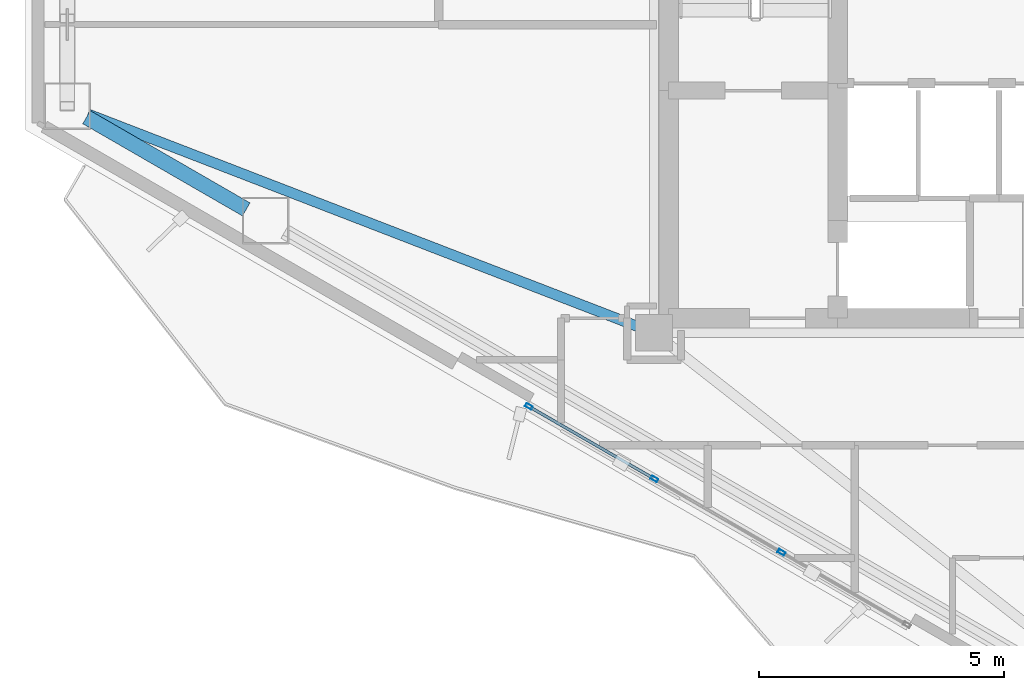
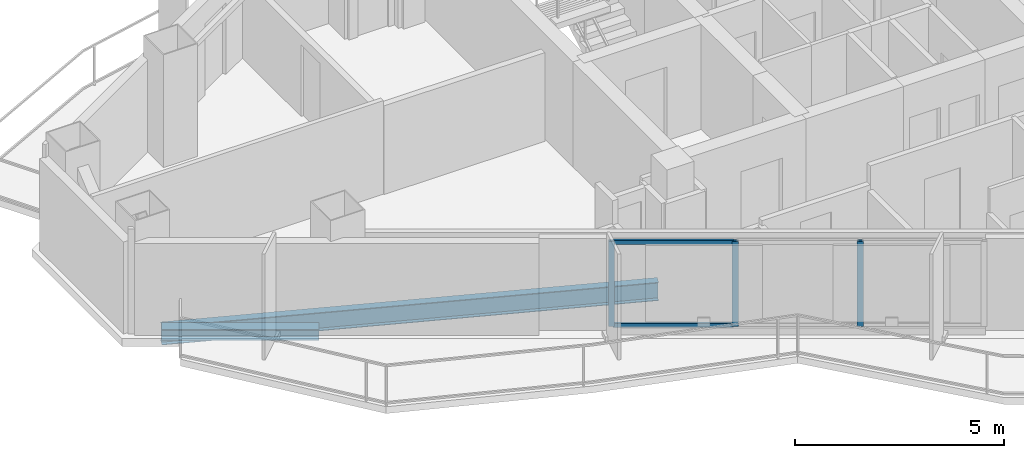
# One storey, part 2 of 21: 5 members, 2 beams, 1 element without a shape of its own.
"""IFC4 building model written with IfcOpenShell, lengths in metres."""

import ifcopenshell
import ifcopenshell.guid

model = None  # the IFC model being written
_history = None  # IfcOwnerHistory: only IFC2X3 demands one
_inside = {}  # id of a spatial element -> (the spatial element, [elements in it])
_under = {}  # id of a project, library or spatial element -> (it, [spatial elements below it])
_declared = {}  # id of a project -> (the project, [libraries it declares])
_typed = {}  # id of a type object -> (the type object, [elements of that type])
_made_of = {}  # id of a material, layer set ... -> (it, [elements and type objects made of it])


def new_model(schema):
    """Start an empty IFC model of exactly this schema.

    Asked for "IFC4X3", IfcOpenShell would pick the latest addendum, in which some entities
    have other attributes; the version numbers below select the first issue.
    IFC2X3 requires an IfcOwnerHistory on every rooted entity: one is made here for all.
    """
    global model, _history
    if schema == "IFC4X3":
        model = ifcopenshell.file(schema_version=(4, 3, 0, 0))
    else:
        model = ifcopenshell.file(schema=schema)
    _inside.clear()
    _under.clear()
    _declared.clear()
    _typed.clear()
    _made_of.clear()
    _history = None
    if model.schema == "IFC2X3":
        org = make("IfcOrganization", Name="unknown")
        user = make(
            "IfcPersonAndOrganization",
            ThePerson=make("IfcPerson", FamilyName="unknown"),
            TheOrganization=org,
        )
        app = make(
            "IfcApplication",
            ApplicationDeveloper=org,
            Version="unknown",
            ApplicationFullName="unknown",
            ApplicationIdentifier="unknown",
        )
        _history = make(
            "IfcOwnerHistory",
            OwningUser=user,
            OwningApplication=app,
            ChangeAction="ADDED",
            CreationDate=0,
        )
    return model


def make(cls, **values):
    """One entity of the class cls with the attributes given. An attribute that is None is left unset."""
    return model.create_entity(
        cls, **{name: value for name, value in values.items() if value is not None}
    )


def rooted(cls, **values):
    """An entity with a GlobalId (a new one), such as an element, a storey or a relation."""
    return make(cls, GlobalId=ifcopenshell.guid.new(), OwnerHistory=_history, **values)


def si_unit(unit_type, name, prefix=None):
    """IfcSIUnit, for example si_unit("LENGTHUNIT", "METRE", prefix="MILLI")."""
    return make("IfcSIUnit", UnitType=unit_type, Prefix=prefix, Name=name)


def assignment(units):
    """IfcUnitAssignment: the units of a project."""
    return None if units is None else make("IfcUnitAssignment", Units=units)


def point(xyz):
    """IfcCartesianPoint."""
    return None if xyz is None else make("IfcCartesianPoint", Coordinates=xyz)


def direction(xyz):
    """IfcDirection."""
    return None if xyz is None else make("IfcDirection", DirectionRatios=xyz)


def frame(location, z_axis=None, x_axis=None):
    """IfcAxis2Placement3D, a coordinate frame: its origin and axes. An axis left out is left unset."""
    return make(
        "IfcAxis2Placement3D",
        Location=point(location),
        Axis=direction(z_axis),
        RefDirection=direction(x_axis),
    )


def frame_2d(location, x_axis=None):
    """IfcAxis2Placement2D, a coordinate frame in the plane: its origin and x axis."""
    return make(
        "IfcAxis2Placement2D", Location=point(location), RefDirection=direction(x_axis)
    )


def origin():
    """The frame at (0, 0, 0) with its axes left unset."""
    return frame((0.0, 0.0, 0.0))


def origin_2d():
    """The frame at (0, 0) in the plane with its x axis left unset."""
    return frame_2d((0.0, 0.0))


def place(relative_to, where):
    """IfcLocalPlacement: puts the frame where relative to a parent placement (None: the world)."""
    return make(
        "IfcLocalPlacement", PlacementRelTo=relative_to, RelativePlacement=where
    )


def context(
    kind, dimensions, precision=None, world=None, true_north=None, identifier=None
):
    """IfcGeometricRepresentationContext, for example the 3D "Model" context."""
    return make(
        "IfcGeometricRepresentationContext",
        ContextIdentifier=identifier,
        ContextType=kind,
        CoordinateSpaceDimension=dimensions,
        Precision=precision,
        WorldCoordinateSystem=world,
        TrueNorth=true_north,
    )


def subcontext(parent, identifier, kind, view, scale=None):
    """IfcGeometricRepresentationSubContext, for example "Body" below "Model"."""
    return make(
        "IfcGeometricRepresentationSubContext",
        ContextIdentifier=identifier,
        ContextType=kind,
        ParentContext=parent,
        TargetScale=scale,
        TargetView=view,
    )


def project(units=None, contexts=None):
    """IfcProject with its units and contexts."""
    return rooted(
        "IfcProject",
        Name="project",
        RepresentationContexts=contexts,
        UnitsInContext=assignment(units),
    )


def spatial(cls, under=None, at=None, **own):
    """A site, building, storey or space (cls), placed at a placement, below another one or the project."""
    s = rooted(cls, ObjectPlacement=at, **own)
    if under is not None:
        _under.setdefault(under.id(), (under, []))[1].append(s)
    return s


def profile(cls, at=None, kind="AREA", **sizes):
    """A parametric profile (cls). Its sizes go by their IFC names, for example OverallWidth=200.0."""
    return make(cls, ProfileType=kind, Position=at, **sizes)


def hollow_rectangle(**sizes):
    """IfcRectangleHollowProfileDef."""
    return profile("IfcRectangleHollowProfileDef", **sizes)


def i_section(**sizes):
    """IfcIShapeProfileDef."""
    return profile("IfcIShapeProfileDef", **sizes)


def extrude(swept, where, along, depth):
    """IfcExtrudedAreaSolid: the profile swept, set in the frame where, extruded along a direction by depth."""
    return make(
        "IfcExtrudedAreaSolid",
        SweptArea=swept,
        Position=where,
        ExtrudedDirection=direction(along),
        Depth=depth,
    )


def shape(context_of_items, identifier, shape_type, items):
    """IfcShapeRepresentation: the items that make up one representation, for example the "Body"."""
    return make(
        "IfcShapeRepresentation",
        ContextOfItems=context_of_items,
        RepresentationIdentifier=identifier,
        RepresentationType=shape_type,
        Items=items,
    )


def material(Name=None, Category=None):
    """IfcMaterial."""
    return make("IfcMaterial", Name=Name, Category=Category)


def layer(
    of_material, thickness, ventilated=None, Name=None, Category=None, Priority=None
):
    """IfcMaterialLayer: one layer of a wall or slab, of a material (None: an air gap)."""
    return make(
        "IfcMaterialLayer",
        Material=of_material,
        LayerThickness=thickness,
        IsVentilated=ventilated,
        Name=Name,
        Category=Category,
        Priority=Priority,
    )


def layer_set(layers, Name=None):
    """IfcMaterialLayerSet."""
    return make("IfcMaterialLayerSet", MaterialLayers=layers, LayerSetName=Name)


def material_profile(
    of_material, cross_section, Name=None, Category=None, Priority=None
):
    """IfcMaterialProfile: a cross section and its material."""
    return make(
        "IfcMaterialProfile",
        Name=Name,
        Material=of_material,
        Profile=cross_section,
        Priority=Priority,
        Category=Category,
    )


def profile_set(profiles, Name=None, composite=None):
    """IfcMaterialProfileSet."""
    return make(
        "IfcMaterialProfileSet",
        Name=Name,
        MaterialProfiles=profiles,
        CompositeProfile=composite,
    )


def made_of(thing, what):
    """Note that an element or type object is made of a material, layer set ...; save() writes the relation."""
    if what is not None:
        _made_of.setdefault(what.id(), (what, []))[1].append(thing)
    return thing


def type_object(cls, material=None, **own):
    """A type object (cls), such as IfcWallType, which elements share."""
    return made_of(rooted(cls, **own), material)


def element(
    cls,
    number,
    at=None,
    inside=None,
    cuts=None,
    type_object=None,
    material=None,
    context=None,
    identifier="Body",
    shape_type=None,
    held_by="IfcProductDefinitionShape",
    body=None,
    shapes=None,
    **own,
):
    """One element of the class cls, such as IfcWall. Its Tag is "e" and its number.

    at: its placement. inside: the storey or other place that contains it. cuts: it is an
    opening in that element (IfcRelVoidsElement). A single representation is given by context,
    identifier, shape_type and body (its items); several are given by shapes. held_by: the class
    of the entity that holds the representations. save() writes the other relations.
    """
    e = rooted(cls, Tag="e%d" % number, ObjectPlacement=at, **own)
    if body is not None:
        shapes = [shape(context, identifier, shape_type, body)]
    if shapes is not None:
        e.Representation = make(held_by, Representations=shapes)
    if inside is not None:
        _inside.setdefault(inside.id(), (inside, []))[1].append(e)
    if cuts is not None:
        rooted(
            "IfcRelVoidsElement", RelatingBuildingElement=cuts, RelatedOpeningElement=e
        )
    if type_object is not None:
        _typed.setdefault(type_object.id(), (type_object, []))[1].append(e)
    return made_of(e, material)


def aggregate(whole, parts):
    """IfcRelAggregates: a whole, such as a stair, and the parts it consists of."""
    return rooted("IfcRelAggregates", RelatingObject=whole, RelatedObjects=parts)


def save(model, path):
    """Write the relations noted so far, then the file.

    IfcRelAggregates (storeys below a building ...), IfcRelContainedInSpatialStructure (elements
    in a storey), IfcRelDefinesByType, IfcRelAssociatesMaterial and IfcRelDeclares: one each for
    every whole, place, type object, material and project.
    """
    for whole, parts in _under.values():
        aggregate(whole, parts)
    for where, things in _inside.values():
        rooted(
            "IfcRelContainedInSpatialStructure",
            RelatedElements=things,
            RelatingStructure=where,
        )
    for kind, things in _typed.values():
        rooted("IfcRelDefinesByType", RelatedObjects=things, RelatingType=kind)
    for what, things in _made_of.values():
        rooted("IfcRelAssociatesMaterial", RelatedObjects=things, RelatingMaterial=what)
    for by, libraries in _declared.values():
        rooted("IfcRelDeclares", RelatingContext=by, RelatedDefinitions=libraries)
    model.write(path)


model = new_model("IFC4")

# Units and contexts
model_context = context("Model", 3, precision=1e-05, world=origin(), true_north=direction((0.0, 1.0)))
body_context = subcontext(model_context, "Body", "Model", "MODEL_VIEW")
ifc_project = project(units=[si_unit("LENGTHUNIT", "METRE"), si_unit("AREAUNIT", "SQUARE_METRE"), si_unit("VOLUMEUNIT", "CUBIC_METRE"), si_unit("PLANEANGLEUNIT", "RADIAN"), si_unit("MASSUNIT", "GRAM", prefix="KILO")], contexts=[model_context])

# Site, building, storey
site_placement = place(None, origin())
site = spatial("IfcSite", under=ifc_project, at=site_placement, CompositionType="ELEMENT")
building_placement = place(site_placement, origin())
building = spatial("IfcBuilding", under=site, at=building_placement, Name="Mersakhor Tower and Convention Hall", CompositionType="ELEMENT")
storey_placement = place(building_placement, frame((0.0, 0.0, 178.800048828125)))
storey = spatial("IfcBuildingStorey", under=building, at=storey_placement, Name="L49", CompositionType="ELEMENT", Elevation=178.800048828125)

# Beams
ifc_material_1 = material(Name="Steel S355", Category="steel")
ifc_material_profile_1 = material_profile(ifc_material_1, i_section(OverallWidth=0.2099609375, OverallDepth=0.53662109375, WebThickness=0.0107421875, FlangeThickness=0.017333984375, at=origin_2d()), Name="UB 533x210x101")
ifc_profile_set_1 = profile_set([ifc_material_profile_1], Name="Steel S355")
beam_type_1 = type_object("IfcBeamType", Name="BM-FB-533", PredefinedType="BEAM", material=ifc_profile_set_1)
beam_1_placement = place(storey_placement, frame((21.56884765625, 20.577880859375, -0.49853515625), z_axis=(-0.93276514993, 0.360484639167, 0.0), x_axis=(-0.360484639167, -0.93276514993, 0.0)))
element("IfcBeam", 1, at=beam_1_placement, inside=storey, type_object=beam_type_1, Name="L49 Primary Floor Girder FG-6", PredefinedType="BEAM", context=body_context, shape_type="SweptSolid", body=[
    extrude(i_section(OverallWidth=0.2099609375, OverallDepth=0.53662109375, WebThickness=0.0107421875, FlangeThickness=0.017333984375, at=origin_2d()), origin(), (0.0, 0.0, 1.0), 12.047119140625),
])
ifc_material_2 = material(Name="Steel S355", Category="steel")
ifc_material_profile_2 = material_profile(ifc_material_2, i_section(OverallWidth=0.30908203125, OverallDepth=0.320556640625, WebThickness=0.013916015625, FlangeThickness=0.021728515625, at=origin_2d()), Name="UC 305x305x137")
ifc_profile_set_2 = profile_set([ifc_material_profile_2], Name="Steel S355")
beam_type_2 = type_object("IfcBeamType", Name="BM-SPD-UC305", PredefinedType="SPANDREL", material=ifc_profile_set_2)
beam_2_placement = place(storey_placement, frame((13.56591796875, 22.97265625, -0.39013671875), z_axis=(-0.866046450459, 0.499963544319, 0.0), x_axis=(-0.499963544319, -0.866046450459, 0.0)))
element("IfcBeam", 2, at=beam_2_placement, inside=storey, type_object=beam_type_2, Name="L49 Perimeter Spandrel Beam SPB-11", PredefinedType="SPANDREL", context=body_context, shape_type="SweptSolid", body=[
    extrude(i_section(OverallWidth=0.30908203125, OverallDepth=0.320556640625, WebThickness=0.013916015625, FlangeThickness=0.021728515625, at=origin_2d()), origin(), (0.0, 0.0, 1.0), 3.769287109375),
])

# Curtain wall, members
ifc_material_3 = material(Name="Dark solar low-E aluminium curtain wall", Category="aluminium")
ifc_layer = layer(ifc_material_3, 0.169921875)
ifc_layer_set = layer_set([ifc_layer], Name="Dark solar low-E aluminium curtain wall")
curtain_wall_type = type_object("IfcCurtainWallType", Name="CW-SYS-02", PredefinedType="USERDEFINED", material=ifc_layer_set)
curtain_wall_placement = place(storey_placement, origin())
curtain_wall = element("IfcCurtainWall", 3, at=curtain_wall_placement, inside=storey, type_object=curtain_wall_type, Name="L49 Dark-Glass Curtain Wall F3-B2", ObjectType="CURTAIN WALL", PredefinedType="USERDEFINED")
ifc_material_4 = material(Name="Anodised aluminium EN AW-6063 T6", Category="aluminium")
ifc_material_profile_3 = material_profile(ifc_material_4, hollow_rectangle(XDim=0.074951171875, YDim=0.14990234375, WallThickness=0.00634765625, at=origin_2d()), Name="RHS 150x75x6.3")
ifc_profile_set_3 = profile_set([ifc_material_profile_3], Name="Anodised aluminium EN AW-6063 T6")
member_type_1 = type_object("IfcMemberType", Name="CWM-150x75", PredefinedType="MULLION", material=ifc_profile_set_3)
member_1_placement = place(storey_placement, frame((24.504638671875, 15.964111328125, 0.199951171875), z_axis=(0.0, 0.0, 1.0), x_axis=(-0.500007824483, -0.86602088627, 0.0)))
member_1 = element("IfcMember", 4, at=member_1_placement, type_object=member_type_1, Name="CW-02 mullion 2", PredefinedType="MULLION", context=body_context, shape_type="SweptSolid", body=[
    extrude(hollow_rectangle(XDim=0.074951171875, YDim=0.14990234375, WallThickness=0.00634765625, at=origin_2d()), origin(), (0.0, 0.0, 1.0), 2.489990234375),
])
member_2_placement = place(storey_placement, frame((21.906982421875, 17.464111328125, 0.199951171875), z_axis=(0.0, 0.0, 1.0), x_axis=(-0.500007824483, -0.86602088627, 0.0)))
member_2 = element("IfcMember", 5, at=member_2_placement, type_object=member_type_1, Name="CW-02 mullion 3", PredefinedType="MULLION", context=body_context, shape_type="SweptSolid", body=[
    extrude(hollow_rectangle(XDim=0.074951171875, YDim=0.14990234375, WallThickness=0.00634765625, at=origin_2d()), origin(), (0.0, 0.0, 1.0), 2.489990234375),
])
member_3_placement = place(storey_placement, frame((19.341796875, 18.945068359375, 0.199951171875), z_axis=(0.0, 0.0, 1.0), x_axis=(-0.500007824483, -0.86602088627, 0.0)))
member_3 = element("IfcMember", 6, at=member_3_placement, type_object=member_type_1, Name="CW-02 mullion 4", PredefinedType="MULLION", context=body_context, shape_type="SweptSolid", body=[
    extrude(hollow_rectangle(XDim=0.074951171875, YDim=0.14990234375, WallThickness=0.00634765625, at=origin_2d()), origin(), (0.0, 0.0, 1.0), 2.489990234375),
])
ifc_material_5 = material(Name="Anodised aluminium EN AW-6063 T6", Category="aluminium")
ifc_material_profile_4 = material_profile(ifc_material_5, hollow_rectangle(XDim=0.06005859375, YDim=0.1201171875, WallThickness=0.0048828125, at=origin_2d()), Name="RHS 120x60x5")
ifc_profile_set_4 = profile_set([ifc_material_profile_4], Name="Anodised aluminium EN AW-6063 T6")
member_type_2 = type_object("IfcMemberType", Name="CWT-120x60", PredefinedType="USERDEFINED", material=ifc_profile_set_4)
member_4_placement = place(storey_placement, frame((21.87451171875, 17.48291015625, 0.22998046875), z_axis=(-0.86601237176, 0.50002257145, 0.0), x_axis=(-0.50002257145, -0.86601237176, 0.0)))
member_4 = element("IfcMember", 7, at=member_4_placement, type_object=member_type_2, Name="CW-02 transom 3.1", ObjectType="TRANSOM", PredefinedType="USERDEFINED", context=body_context, shape_type="SweptSolid", body=[
    extrude(hollow_rectangle(XDim=0.06005859375, YDim=0.1201171875, WallThickness=0.0048828125, at=origin_2d()), origin(), (0.0, 0.0, 1.0), 2.886962890625),
])
member_5_placement = place(storey_placement, frame((21.87451171875, 17.48291015625, 2.659912109375), z_axis=(-0.86601237176, 0.50002257145, 0.0), x_axis=(-0.50002257145, -0.86601237176, 0.0)))
member_5 = element("IfcMember", 8, at=member_5_placement, type_object=member_type_2, Name="CW-02 transom 3.2", ObjectType="TRANSOM", PredefinedType="USERDEFINED", context=body_context, shape_type="SweptSolid", body=[
    extrude(hollow_rectangle(XDim=0.06005859375, YDim=0.1201171875, WallThickness=0.0048828125, at=origin_2d()), origin(), (0.0, 0.0, 1.0), 2.886962890625),
])
aggregate(curtain_wall, [member_1, member_2, member_3, member_4, member_5])

save(model, "model.ifc")
